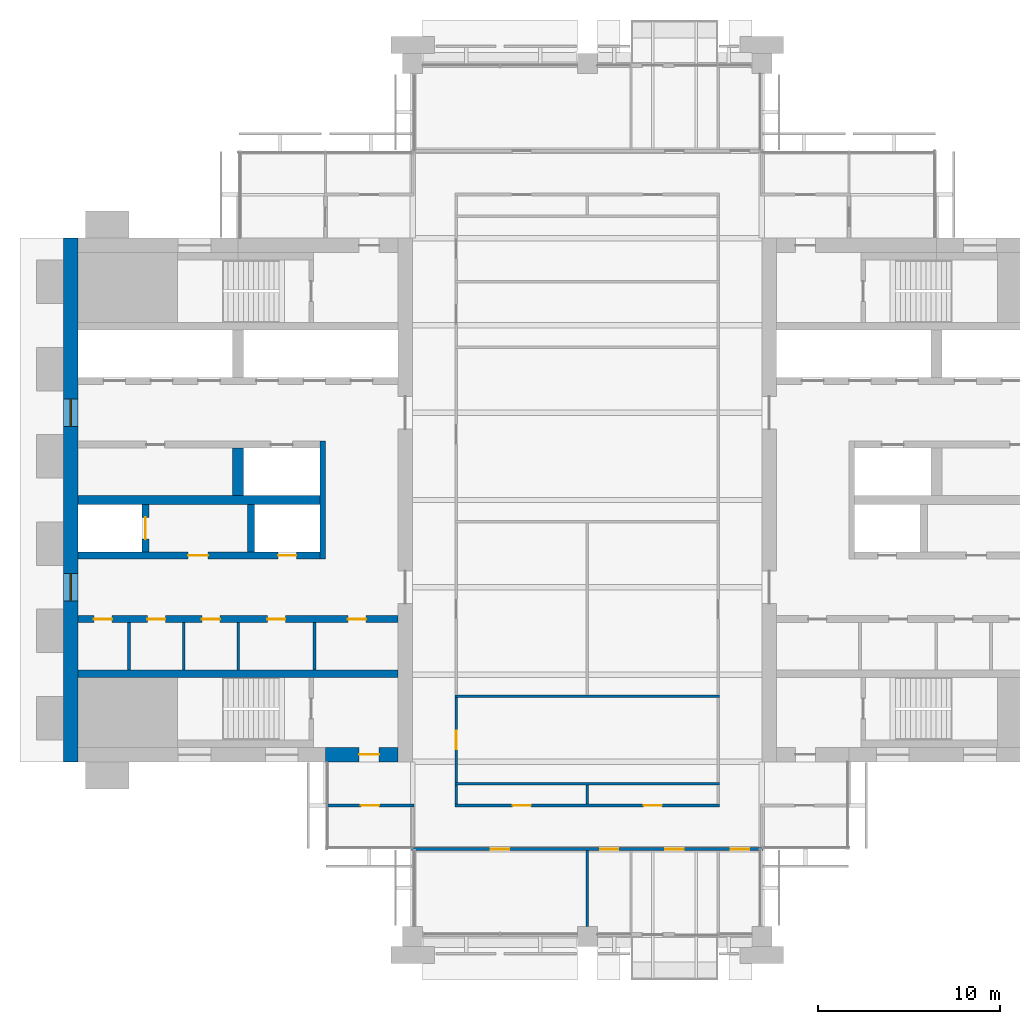
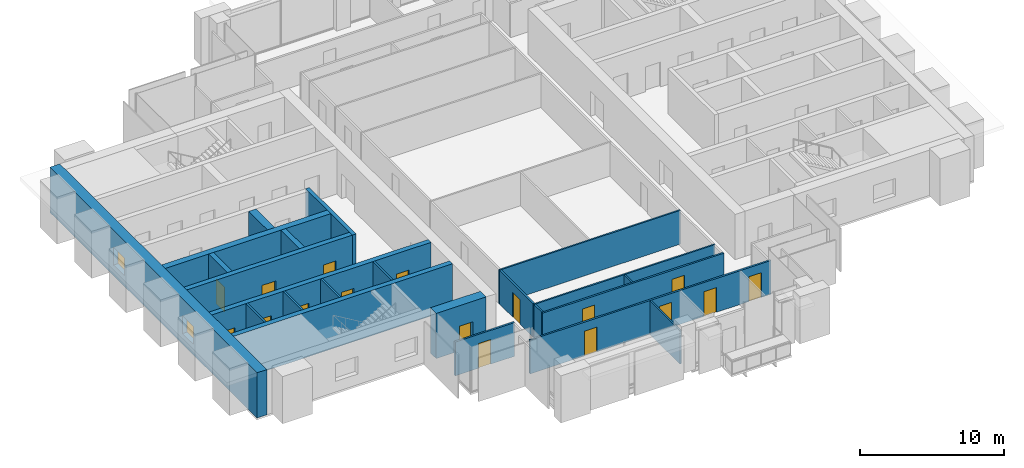
# One storey, part 8 of 14: 23 walls, 17 doors, 2 windows, 19 openings.
"""IFC4 building model written with IfcOpenShell, lengths in metres."""

from ifc_helpers import new_model, si_unit, direction, frame, frame_2d, origin, place, context, subcontext, project, spatial, rectangle, extrude, material, layer, layer_set, type_object, element, fill, save


model = new_model("IFC4")

# Units and contexts
model_context = context("Model", 3, precision=1e-05, world=origin(), true_north=direction((0.0, 1.0)))
body_context = subcontext(model_context, "Body", "Model", "MODEL_VIEW")
ifc_project = project(units=[si_unit("LENGTHUNIT", "METRE"), si_unit("AREAUNIT", "SQUARE_METRE"), si_unit("VOLUMEUNIT", "CUBIC_METRE"), si_unit("PLANEANGLEUNIT", "RADIAN"), si_unit("MASSUNIT", "GRAM", prefix="KILO")], contexts=[model_context])

# Site, building, storey
site_placement = place(None, origin())
site = spatial("IfcSite", under=ifc_project, at=site_placement, CompositionType="ELEMENT")
building_placement = place(site_placement, origin())
building = spatial("IfcBuilding", under=site, at=building_placement, Name="Baori Bourse Tower", CompositionType="ELEMENT")
storey_placement = place(building_placement, frame((0.0, 0.0, 245.199951171875)))
storey = spatial("IfcBuildingStorey", under=building, at=storey_placement, Name="L54", CompositionType="ELEMENT", Elevation=245.199951171875)

# Walls
ifc_material_1 = material(Name="Blockwork partition", Category="masonry")
ifc_layer_1 = layer(ifc_material_1, 0.14990234375)
ifc_layer_set_1 = layer_set([ifc_layer_1], Name="Core partition 150")
wall_type_1 = type_object("IfcWallType", Name="Core partition 150", PredefinedType="PARTITIONING", material=ifc_layer_set_1)
for number, where, z_axis, x_axis, name in (
    (1, (3.60009765625, 14.64990234375, 0.0), (0.0, 0.0, 1.0), (0.0, 1.0, 0.0), "Partition wall W09"),
    (2, (6.60009765625, 14.64990234375, 0.0), (0.0, 0.0, 1.0), (0.0, 1.0, 0.0), "Partition wall W10"),
    (3, (9.60009765625, 14.64990234375, 0.0), (0.0, 0.0, 1.0), (0.0, 1.0, 0.0), "Partition wall W11"),
    (4, (13.800048828125, 14.64990234375, 0.0), (0.0, 0.0, 1.0), (0.0, 1.0, 0.0), "Partition wall W12"),
):
    element("IfcWall", number, at=place(storey_placement, frame(where, z_axis=z_axis, x_axis=x_axis)), inside=storey, type_object=wall_type_1, Name=name, PredefinedType="PARTITIONING", context=body_context, shape_type="SweptSolid", body=[
        extrude(rectangle(XDim=2.60009765625, YDim=0.14990234375, at=frame_2d((1.300048828125, 0.0))), origin(), (0.0, 0.0, 1.0), 3.840087890625),
    ])

# Wall, openings, windows
ifc_material_2 = material(Name="Concrete f'c 50 MPa", Category="concrete")
ifc_layer_2 = layer(ifc_material_2, 0.800048828125)
ifc_layer_set_2 = layer_set([ifc_layer_2], Name="Core wall 800 f'c 50")
wall_type_2 = type_object("IfcWallType", Name="Core wall 800 f'c 50", PredefinedType="SHEAR", material=ifc_layer_set_2)
wall_1_placement = place(storey_placement, frame((0.39990234375, 9.60009765625, 0.0), z_axis=(0.0, 0.0, 1.0), x_axis=(0.0, 1.0, 0.0)))
wall_1 = element("IfcWall", 5, at=wall_1_placement, inside=storey, type_object=wall_type_2, Name="Core wall W01", PredefinedType="SHEAR", context=body_context, shape_type="SweptSolid", body=[
    extrude(rectangle(XDim=28.7998046875, YDim=0.800048828125, at=frame_2d((14.39990234375, 0.0))), origin(), (0.0, 0.0, 1.0), 3.840087890625),
])
opening_1_placement = place(wall_1_placement, frame((8.85009765625, 0.0, 0.89990234375)))
opening_1 = element("IfcOpeningElement", 6, at=opening_1_placement, cuts=wall_1, Name="Opening L54-KW101", PredefinedType="OPENING", context=body_context, shape_type="SweptSolid", body=[
    extrude(rectangle(XDim=1.5, YDim=1.5, at=frame_2d((0.75, 0.75))), frame((0.0, 0.409912109375, 0.0), z_axis=(0.0, -1.0, 0.0), x_axis=(1.0, 0.0, 0.0)), (0.0, 0.0, 1.0), 0.820068359375),
])
opening_2_placement = place(wall_1_placement, frame((18.449951171875, 0.0, 0.89990234375)))
opening_2 = element("IfcOpeningElement", 7, at=opening_2_placement, cuts=wall_1, Name="Opening L54-KW102", PredefinedType="OPENING", context=body_context, shape_type="SweptSolid", body=[
    extrude(rectangle(XDim=1.5, YDim=1.5, at=frame_2d((0.75, 0.75))), frame((0.0, 0.409912109375, 0.0), z_axis=(0.0, -1.0, 0.0), x_axis=(1.0, 0.0, 0.0)), (0.0, 0.0, 1.0), 0.820068359375),
])
ifc_material_3 = material(Name="Pale anodised aluminium", Category="aluminium")
window_type = type_object("IfcWindowType", Name="Lobby window 1500 x 1500", PartitioningType="SINGLE_PANEL", PredefinedType="WINDOW", material=ifc_material_3)
window_1_placement = place(opening_1_placement, origin())
window_1 = element("IfcWindow", 8, at=window_1_placement, inside=storey, type_object=window_type, Name="Outer wall window W L54 1", OverallHeight=1.5, OverallWidth=1.5, PartitioningType="SINGLE_PANEL", PredefinedType="WINDOW", context=body_context, shape_type="SweptSolid", body=[
    extrude(rectangle(XDim=1.5, YDim=1.5, at=frame_2d((0.75, 0.75))), frame((0.0, 0.030029296875, 0.0), z_axis=(0.0, -1.0, 0.0), x_axis=(1.0, 0.0, 0.0)), (0.0, 0.0, 1.0), 0.06005859375),
])
fill(opening_1, window_1)
window_2_placement = place(opening_2_placement, origin())
window_2 = element("IfcWindow", 9, at=window_2_placement, inside=storey, type_object=window_type, Name="Outer wall window W L54 2", OverallHeight=1.5, OverallWidth=1.5, PartitioningType="SINGLE_PANEL", PredefinedType="WINDOW", context=body_context, shape_type="SweptSolid", body=[
    extrude(rectangle(XDim=1.5, YDim=1.5, at=frame_2d((0.75, 0.75))), frame((0.0, 0.030029296875, 0.0), z_axis=(0.0, -1.0, 0.0), x_axis=(1.0, 0.0, 0.0)), (0.0, 0.0, 1.0), 0.06005859375),
])
fill(opening_2, window_2)

# Wall, opening, door
wall_2_placement = place(storey_placement, frame((18.39990234375, 10.0, 0.0), z_axis=(0.0, 0.0, 1.0), x_axis=(-1.0, 0.0, 0.0)))
wall_2 = element("IfcWall", 10, at=wall_2_placement, inside=storey, type_object=wall_type_2, Name="Core wall W03", PredefinedType="SHEAR", context=body_context, shape_type="SweptSolid", body=[
    extrude(rectangle(XDim=4.0, YDim=0.800048828125, at=frame_2d((2.0, 0.0))), origin(), (0.0, 0.0, 1.0), 3.840087890625),
])
opening_3_placement = place(wall_2_placement, frame((1.050048828125, 0.0, 0.0)))
opening_3 = element("IfcOpeningElement", 11, at=opening_3_placement, cuts=wall_2, Name="Opening L54-D102", PredefinedType="OPENING", context=body_context, shape_type="SweptSolid", body=[
    extrude(rectangle(XDim=1.10009765625, YDim=2.10009765625, at=frame_2d((0.550048828125, 1.050048828125))), frame((0.0, 0.409912109375, 0.0), z_axis=(0.0, -1.0, 0.0), x_axis=(1.0, 0.0, 0.0)), (0.0, 0.0, 1.0), 0.820068359375),
])
ifc_material_4 = material(Name="Painted steel door", Category="steel")
door_type_1 = type_object("IfcDoorType", Name="Stair door 1100", OperationType="SINGLE_SWING_LEFT", PredefinedType="DOOR", material=ifc_material_4)
door_1_placement = place(opening_3_placement, origin())
door_1 = element("IfcDoor", 12, at=door_1_placement, inside=storey, type_object=door_type_1, Name="Stair vestibule door A W L54", OperationType="SINGLE_SWING_LEFT", OverallHeight=2.10009765625, OverallWidth=1.10009765625, PredefinedType="DOOR", context=body_context, shape_type="SweptSolid", body=[
    extrude(rectangle(XDim=1.10009765625, YDim=2.10009765625, at=frame_2d((0.550048828125, 1.050048828125))), frame((0.0, 0.02490234375, 0.0), z_axis=(0.0, -1.0, 0.0), x_axis=(1.0, 0.0, 0.0)), (0.0, 0.0, 1.0), 0.050048828125),
])
fill(opening_3, door_1)

# Wall, openings, doors
ifc_material_5 = material(Name="Gypsum board partition")
ifc_layer_3 = layer(ifc_material_5, 0.14990234375)
ifc_layer_set_3 = layer_set([ifc_layer_3], Name="Corridor partition 150")
wall_type_3 = type_object("IfcWallType", Name="Corridor partition 150", PredefinedType="PARTITIONING", material=ifc_layer_set_3)
wall_3_placement = place(storey_placement, frame((19.125, 4.800048828125, 0.0), z_axis=(0.0, 0.0, 1.0), x_axis=(1.0, 0.0, 0.0)))
wall_3 = element("IfcWall", 13, at=wall_3_placement, inside=storey, type_object=wall_type_3, Name="Partition", PredefinedType="PARTITIONING", context=body_context, shape_type="SweptSolid", body=[
    extrude(rectangle(XDim=19.35009765625, YDim=0.14990234375, at=frame_2d((9.675048828125, 0.0))), origin(), (0.0, 0.0, 1.0), 2.869873046875),
])
opening_4_placement = place(wall_3_placement, frame((4.375, 0.0, 0.0)))
opening_4 = element("IfcOpeningElement", 14, at=opening_4_placement, cuts=wall_3, Name="Opening L54-D01", PredefinedType="OPENING", context=body_context, shape_type="SweptSolid", body=[
    extrude(rectangle(XDim=1.0, YDim=2.10009765625, at=frame_2d((0.5, 1.050048828125))), frame((0.0, 0.0849609375, 0.0), z_axis=(0.0, -1.0, 0.0), x_axis=(1.0, 0.0, 0.0)), (0.0, 0.0, 1.0), 0.169921875),
])
opening_5_placement = place(wall_3_placement, frame((10.375, 0.0, 0.0)))
opening_5 = element("IfcOpeningElement", 15, at=opening_5_placement, cuts=wall_3, Name="Opening L54-D02", PredefinedType="OPENING", context=body_context, shape_type="SweptSolid", body=[
    extrude(rectangle(XDim=1.0, YDim=2.10009765625, at=frame_2d((0.5, 1.050048828125))), frame((0.0, 0.0849609375, 0.0), z_axis=(0.0, -1.0, 0.0), x_axis=(1.0, 0.0, 0.0)), (0.0, 0.0, 1.0), 0.169921875),
])
opening_6_placement = place(wall_3_placement, frame((13.97509765625, 0.0, 0.0)))
opening_6 = element("IfcOpeningElement", 16, at=opening_6_placement, cuts=wall_3, Name="Opening L54-D03", PredefinedType="OPENING", context=body_context, shape_type="SweptSolid", body=[
    extrude(rectangle(XDim=1.0, YDim=2.10009765625, at=frame_2d((0.5, 1.050048828125))), frame((0.0, 0.0849609375, 0.0), z_axis=(0.0, -1.0, 0.0), x_axis=(1.0, 0.0, 0.0)), (0.0, 0.0, 1.0), 0.169921875),
])
opening_7_placement = place(wall_3_placement, frame((17.574951171875, 0.0, 0.0)))
opening_7 = element("IfcOpeningElement", 17, at=opening_7_placement, cuts=wall_3, Name="Opening L54-D04", PredefinedType="OPENING", context=body_context, shape_type="SweptSolid", body=[
    extrude(rectangle(XDim=1.0, YDim=2.10009765625, at=frame_2d((0.5, 1.050048828125))), frame((0.0, 0.0849609375, 0.0), z_axis=(0.0, -1.0, 0.0), x_axis=(1.0, 0.0, 0.0)), (0.0, 0.0, 1.0), 0.169921875),
])
ifc_material_6 = material(Name="Timber door leaf", Category="wood")
door_type_2 = type_object("IfcDoorType", Name="Door 1000 x 2100", OperationType="SINGLE_SWING_LEFT", PredefinedType="DOOR", material=ifc_material_6)
door_2_placement = place(opening_4_placement, origin())
door_2 = element("IfcDoor", 18, at=door_2_placement, inside=storey, type_object=door_type_2, Name="Door", OperationType="SINGLE_SWING_LEFT", OverallHeight=2.10009765625, OverallWidth=1.0, PredefinedType="DOOR", context=body_context, shape_type="SweptSolid", body=[
    extrude(rectangle(XDim=1.0, YDim=2.10009765625, at=frame_2d((0.5, 1.050048828125))), frame((0.0, 0.02490234375, 0.0), z_axis=(0.0, -1.0, 0.0), x_axis=(1.0, 0.0, 0.0)), (0.0, 0.0, 1.0), 0.050048828125),
])
fill(opening_4, door_2)
door_3_placement = place(opening_5_placement, origin())
door_3 = element("IfcDoor", 19, at=door_3_placement, inside=storey, type_object=door_type_2, Name="Door", OperationType="SINGLE_SWING_RIGHT", OverallHeight=2.10009765625, OverallWidth=1.0, PredefinedType="DOOR", context=body_context, shape_type="SweptSolid", body=[
    extrude(rectangle(XDim=1.0, YDim=2.10009765625, at=frame_2d((0.5, 1.050048828125))), frame((0.0, 0.02490234375, 0.0), z_axis=(0.0, -1.0, 0.0), x_axis=(1.0, 0.0, 0.0)), (0.0, 0.0, 1.0), 0.050048828125),
])
fill(opening_5, door_3)
door_4_placement = place(opening_6_placement, origin())
door_4 = element("IfcDoor", 20, at=door_4_placement, inside=storey, type_object=door_type_2, Name="Door", OperationType="SINGLE_SWING_RIGHT", OverallHeight=2.10009765625, OverallWidth=1.0, PredefinedType="DOOR", context=body_context, shape_type="SweptSolid", body=[
    extrude(rectangle(XDim=1.0, YDim=2.10009765625, at=frame_2d((0.5, 1.050048828125))), frame((0.0, 0.02490234375, 0.0), z_axis=(0.0, -1.0, 0.0), x_axis=(1.0, 0.0, 0.0)), (0.0, 0.0, 1.0), 0.050048828125),
])
fill(opening_6, door_4)
door_5_placement = place(opening_7_placement, origin())
door_5 = element("IfcDoor", 21, at=door_5_placement, inside=storey, type_object=door_type_2, Name="Door", OperationType="SINGLE_SWING_RIGHT", OverallHeight=2.10009765625, OverallWidth=1.0, PredefinedType="DOOR", context=body_context, shape_type="SweptSolid", body=[
    extrude(rectangle(XDim=1.0, YDim=2.10009765625, at=frame_2d((0.5, 1.050048828125))), frame((0.0, 0.02490234375, 0.0), z_axis=(0.0, -1.0, 0.0), x_axis=(1.0, 0.0, 0.0)), (0.0, 0.0, 1.0), 0.050048828125),
])
fill(opening_7, door_5)

# Wall, opening, door
wall_4_placement = place(storey_placement, frame((14.5, 7.199951171875, 0.0), z_axis=(0.0, 0.0, 1.0), x_axis=(1.0, 0.0, 0.0)))
wall_4 = element("IfcWall", 22, at=wall_4_placement, inside=storey, type_object=wall_type_3, Name="Partition", PredefinedType="PARTITIONING", context=body_context, shape_type="SweptSolid", body=[
    extrude(rectangle(XDim=4.77490234375, YDim=0.14990234375, at=frame_2d((2.387451171875, 0.0))), origin(), (0.0, 0.0, 1.0), 2.869873046875),
])
opening_8_placement = place(wall_4_placement, frame((1.85009765625, 0.0, 0.0)))
opening_8 = element("IfcOpeningElement", 23, at=opening_8_placement, cuts=wall_4, Name="Opening L54-D05", PredefinedType="OPENING", context=body_context, shape_type="SweptSolid", body=[
    extrude(rectangle(XDim=1.0, YDim=2.10009765625, at=frame_2d((0.5, 1.050048828125))), frame((0.0, 0.0849609375, 0.0), z_axis=(0.0, -1.0, 0.0), x_axis=(1.0, 0.0, 0.0)), (0.0, 0.0, 1.0), 0.169921875),
])
door_6_placement = place(opening_8_placement, origin())
door_6 = element("IfcDoor", 24, at=door_6_placement, inside=storey, type_object=door_type_2, Name="Door", OperationType="SINGLE_SWING_LEFT", OverallHeight=2.10009765625, OverallWidth=1.0, PredefinedType="DOOR", context=body_context, shape_type="SweptSolid", body=[
    extrude(rectangle(XDim=1.0, YDim=2.10009765625, at=frame_2d((0.5, 1.050048828125))), frame((0.0, 0.02490234375, 0.0), z_axis=(0.0, -1.0, 0.0), x_axis=(1.0, 0.0, 0.0)), (0.0, 0.0, 1.0), 0.050048828125),
])
fill(opening_8, door_6)

# Wall, openings, doors
wall_5_placement = place(storey_placement, frame((21.52490234375, 7.199951171875, 0.0), z_axis=(0.0, 0.0, 1.0), x_axis=(1.0, 0.0, 0.0)))
wall_5 = element("IfcWall", 25, at=wall_5_placement, inside=storey, type_object=wall_type_3, Name="Partition", PredefinedType="PARTITIONING", context=body_context, shape_type="SweptSolid", body=[
    extrude(rectangle(XDim=14.550048828125, YDim=0.14990234375, at=frame_2d((7.27490234375, 0.0))), origin(), (0.0, 0.0, 1.0), 2.869873046875),
])
opening_9_placement = place(wall_5_placement, frame((3.175048828125, 0.0, 0.0)))
opening_9 = element("IfcOpeningElement", 26, at=opening_9_placement, cuts=wall_5, Name="Opening L54-D06", PredefinedType="OPENING", context=body_context, shape_type="SweptSolid", body=[
    extrude(rectangle(XDim=1.0, YDim=2.10009765625, at=frame_2d((0.5, 1.050048828125))), frame((0.0, 0.0849609375, 0.0), z_axis=(0.0, -1.0, 0.0), x_axis=(1.0, 0.0, 0.0)), (0.0, 0.0, 1.0), 0.169921875),
])
opening_10_placement = place(wall_5_placement, frame((10.375, 0.0, 0.0)))
opening_10 = element("IfcOpeningElement", 27, at=opening_10_placement, cuts=wall_5, Name="Opening L54-D07", PredefinedType="OPENING", context=body_context, shape_type="SweptSolid", body=[
    extrude(rectangle(XDim=1.0, YDim=2.10009765625, at=frame_2d((0.5, 1.050048828125))), frame((0.0, 0.0849609375, 0.0), z_axis=(0.0, -1.0, 0.0), x_axis=(1.0, 0.0, 0.0)), (0.0, 0.0, 1.0), 0.169921875),
])
door_7_placement = place(opening_9_placement, origin())
door_7 = element("IfcDoor", 28, at=door_7_placement, inside=storey, type_object=door_type_2, Name="Door", OperationType="SINGLE_SWING_RIGHT", OverallHeight=2.10009765625, OverallWidth=1.0, PredefinedType="DOOR", context=body_context, shape_type="SweptSolid", body=[
    extrude(rectangle(XDim=1.0, YDim=2.10009765625, at=frame_2d((0.5, 1.050048828125))), frame((0.0, 0.02490234375, 0.0), z_axis=(0.0, -1.0, 0.0), x_axis=(1.0, 0.0, 0.0)), (0.0, 0.0, 1.0), 0.050048828125),
])
fill(opening_9, door_7)
door_8_placement = place(opening_10_placement, origin())
door_8 = element("IfcDoor", 29, at=door_8_placement, inside=storey, type_object=door_type_2, Name="Door", OperationType="SINGLE_SWING_LEFT", OverallHeight=2.10009765625, OverallWidth=1.0, PredefinedType="DOOR", context=body_context, shape_type="SweptSolid", body=[
    extrude(rectangle(XDim=1.0, YDim=2.10009765625, at=frame_2d((0.5, 1.050048828125))), frame((0.0, 0.02490234375, 0.0), z_axis=(0.0, -1.0, 0.0), x_axis=(1.0, 0.0, 0.0)), (0.0, 0.0, 1.0), 0.050048828125),
])
fill(opening_10, door_8)

# Wall
wall_6_placement = place(storey_placement, frame((21.60009765625, 7.27490234375, 0.0), z_axis=(0.0, 0.0, 1.0), x_axis=(0.0, 1.0, 0.0)))
element("IfcWall", 30, at=wall_6_placement, inside=storey, type_object=wall_type_3, Name="Partition", PredefinedType="PARTITIONING", context=body_context, shape_type="SweptSolid", body=[
    extrude(rectangle(XDim=1.0625, YDim=0.14990234375, at=frame_2d((0.53125, 0.0))), origin(), (0.0, 0.0, 1.0), 2.869873046875),
])

# Wall, opening, door
wall_7_placement = place(storey_placement, frame((21.60009765625, 8.46240234375, 0.0), z_axis=(0.0, 0.0, 1.0), x_axis=(0.0, 1.0, 0.0)))
wall_7 = element("IfcWall", 31, at=wall_7_placement, inside=storey, type_object=wall_type_3, Name="Partition", PredefinedType="PARTITIONING", context=body_context, shape_type="SweptSolid", body=[
    extrude(rectangle(XDim=4.675048828125, YDim=0.14990234375, at=frame_2d((2.33740234375, 0.0))), origin(), (0.0, 0.0, 1.0), 2.869873046875),
])
opening_11_placement = place(wall_7_placement, frame((1.83740234375, 0.0, 0.0)))
opening_11 = element("IfcOpeningElement", 32, at=opening_11_placement, cuts=wall_7, Name="Opening L54-D17", PredefinedType="OPENING", context=body_context, shape_type="SweptSolid", body=[
    extrude(rectangle(XDim=1.0, YDim=2.10009765625, at=frame_2d((0.5, 1.050048828125))), frame((0.0, 0.0849609375, 0.0), z_axis=(0.0, -1.0, 0.0), x_axis=(1.0, 0.0, 0.0)), (0.0, 0.0, 1.0), 0.169921875),
])
door_9_placement = place(opening_11_placement, origin())
door_9 = element("IfcDoor", 33, at=door_9_placement, inside=storey, type_object=door_type_2, Name="Door", OperationType="SINGLE_SWING_RIGHT", OverallHeight=2.10009765625, OverallWidth=1.0, PredefinedType="DOOR", context=body_context, shape_type="SweptSolid", body=[
    extrude(rectangle(XDim=1.0, YDim=2.10009765625, at=frame_2d((0.5, 1.050048828125))), frame((0.0, 0.02490234375, 0.0), z_axis=(0.0, -1.0, 0.0), x_axis=(1.0, 0.0, 0.0)), (0.0, 0.0, 1.0), 0.050048828125),
])
fill(opening_11, door_9)

# Walls
ifc_material_7 = material(Name="Gypsum board partition")
ifc_layer_4 = layer(ifc_material_7, 0.125)
ifc_layer_set_4 = layer_set([ifc_layer_4], Name="Partition 125")
wall_type_4 = type_object("IfcWallType", Name="Partition 125", PredefinedType="PARTITIONING", material=ifc_layer_set_4)
for number, where, z_axis, x_axis, name in (
    (34, (21.52490234375, 8.39990234375, 0.0), (0.0, 0.0, 1.0), (1.0, 0.0, 0.0), "Partition"),
    (35, (21.52490234375, 13.199951171875, 0.0), (0.0, 0.0, 1.0), (1.0, 0.0, 0.0), "Partition"),
):
    element("IfcWall", number, at=place(storey_placement, frame(where, z_axis=z_axis, x_axis=x_axis)), inside=storey, type_object=wall_type_4, Name=name, PredefinedType="PARTITIONING", context=body_context, shape_type="SweptSolid", body=[
        extrude(rectangle(XDim=14.550048828125, YDim=0.125, at=frame_2d((7.27490234375, 0.0))), origin(), (0.0, 0.0, 1.0), 2.869873046875),
    ])
wall_8_placement = place(storey_placement, frame((28.800048828125, 0.550048828125, 0.0), z_axis=(0.0, 0.0, 1.0), x_axis=(0.0, 1.0, 0.0)))
element("IfcWall", 36, at=wall_8_placement, inside=storey, type_object=wall_type_4, Name="Partition", PredefinedType="PARTITIONING", context=body_context, shape_type="SweptSolid", body=[
    extrude(rectangle(XDim=4.175048828125, YDim=0.125, at=frame_2d((2.08740234375, 0.0))), origin(), (0.0, 0.0, 1.0), 2.869873046875),
])
wall_9_placement = place(storey_placement, frame((28.800048828125, 7.27490234375, 0.0), z_axis=(0.0, 0.0, 1.0), x_axis=(0.0, 1.0, 0.0)))
element("IfcWall", 37, at=wall_9_placement, inside=storey, type_object=wall_type_4, Name="Partition", PredefinedType="PARTITIONING", context=body_context, shape_type="SweptSolid", body=[
    extrude(rectangle(XDim=1.0625, YDim=0.125, at=frame_2d((0.53125, 0.0))), origin(), (0.0, 0.0, 1.0), 2.869873046875),
])
ifc_material_8 = material(Name="Concrete f'c 50 MPa", Category="concrete")
ifc_layer_5 = layer(ifc_material_8, 0.300048828125)
ifc_layer_set_5 = layer_set([ifc_layer_5], Name="Shaft wall 300 f'c 50")
wall_type_5 = type_object("IfcWallType", Name="Shaft wall 300 f'c 50", PredefinedType="SHEAR", material=ifc_layer_set_5)
wall_10_placement = place(storey_placement, frame((14.25, 20.75, 0.0), z_axis=(0.0, 0.0, 1.0), x_axis=(0.0, 1.0, 0.0)))
element("IfcWall", 38, at=wall_10_placement, inside=storey, type_object=wall_type_5, Name="Core wall W15", PredefinedType="SHEAR", context=body_context, shape_type="SweptSolid", body=[
    extrude(rectangle(XDim=6.5, YDim=0.300048828125, at=frame_2d((3.25, 0.0))), origin(), (0.0, 0.0, 1.0), 3.840087890625),
])
ifc_material_9 = material(Name="Concrete f'c 50 MPa", Category="concrete")
ifc_layer_6 = layer(ifc_material_9, 0.39990234375)
ifc_layer_set_6 = layer_set([ifc_layer_6], Name="Shaft wall 400 f'c 50")
wall_type_6 = type_object("IfcWallType", Name="Shaft wall 400 f'c 50", PredefinedType="SHEAR", material=ifc_layer_set_6)
wall_11_placement = place(storey_placement, frame((0.800048828125, 14.449951171875, 0.0), z_axis=(0.0, 0.0, 1.0), x_axis=(1.0, 0.0, 0.0)))
element("IfcWall", 39, at=wall_11_placement, inside=storey, type_object=wall_type_6, Name="Core wall W08", PredefinedType="SHEAR", context=body_context, shape_type="SweptSolid", body=[
    extrude(rectangle(XDim=17.599853515625, YDim=0.39990234375, at=frame_2d((8.7998046875, 0.0))), origin(), (0.0, 0.0, 1.0), 3.840087890625),
])

# Wall, openings, doors
wall_12_placement = place(storey_placement, frame((0.800048828125, 17.449951171875, 0.0), z_axis=(0.0, 0.0, 1.0), x_axis=(1.0, 0.0, 0.0)))
wall_12 = element("IfcWall", 40, at=wall_12_placement, inside=storey, type_object=wall_type_6, Name="Core wall W13", PredefinedType="SHEAR", context=body_context, shape_type="SweptSolid", body=[
    extrude(rectangle(XDim=17.599853515625, YDim=0.39990234375, at=frame_2d((8.7998046875, 0.0))), origin(), (0.0, 0.0, 1.0), 3.840087890625),
])
opening_12_placement = place(wall_12_placement, frame((0.862548828125, 0.0, 0.0)))
opening_12 = element("IfcOpeningElement", 41, at=opening_12_placement, cuts=wall_12, Name="Opening L54-D109", PredefinedType="OPENING", context=body_context, shape_type="SweptSolid", body=[
    extrude(rectangle(XDim=1.0, YDim=2.10009765625, at=frame_2d((0.5, 1.050048828125))), frame((0.0, 0.2099609375, 0.0), z_axis=(0.0, -1.0, 0.0), x_axis=(1.0, 0.0, 0.0)), (0.0, 0.0, 1.0), 0.419921875),
])
opening_13_placement = place(wall_12_placement, frame((3.800048828125, 0.0, 0.0)))
opening_13 = element("IfcOpeningElement", 42, at=opening_13_placement, cuts=wall_12, Name="Opening L54-D110", PredefinedType="OPENING", context=body_context, shape_type="SweptSolid", body=[
    extrude(rectangle(XDim=1.0, YDim=2.10009765625, at=frame_2d((0.5, 1.050048828125))), frame((0.0, 0.2099609375, 0.0), z_axis=(0.0, -1.0, 0.0), x_axis=(1.0, 0.0, 0.0)), (0.0, 0.0, 1.0), 0.419921875),
])
opening_14_placement = place(wall_12_placement, frame((6.800048828125, 0.0, 0.0)))
opening_14 = element("IfcOpeningElement", 43, at=opening_14_placement, cuts=wall_12, Name="Opening L54-D111", PredefinedType="OPENING", context=body_context, shape_type="SweptSolid", body=[
    extrude(rectangle(XDim=1.0, YDim=2.10009765625, at=frame_2d((0.5, 1.050048828125))), frame((0.0, 0.2099609375, 0.0), z_axis=(0.0, -1.0, 0.0), x_axis=(1.0, 0.0, 0.0)), (0.0, 0.0, 1.0), 0.419921875),
])
opening_15_placement = place(wall_12_placement, frame((10.39990234375, 0.0, 0.0)))
opening_15 = element("IfcOpeningElement", 44, at=opening_15_placement, cuts=wall_12, Name="Opening L54-D112", PredefinedType="OPENING", context=body_context, shape_type="SweptSolid", body=[
    extrude(rectangle(XDim=1.0, YDim=2.10009765625, at=frame_2d((0.5, 1.050048828125))), frame((0.0, 0.2099609375, 0.0), z_axis=(0.0, -1.0, 0.0), x_axis=(1.0, 0.0, 0.0)), (0.0, 0.0, 1.0), 0.419921875),
])
opening_16_placement = place(wall_12_placement, frame((14.83740234375, 0.0, 0.0)))
opening_16 = element("IfcOpeningElement", 45, at=opening_16_placement, cuts=wall_12, Name="Opening L54-D113", PredefinedType="OPENING", context=body_context, shape_type="SweptSolid", body=[
    extrude(rectangle(XDim=1.0, YDim=2.10009765625, at=frame_2d((0.5, 1.050048828125))), frame((0.0, 0.2099609375, 0.0), z_axis=(0.0, -1.0, 0.0), x_axis=(1.0, 0.0, 0.0)), (0.0, 0.0, 1.0), 0.419921875),
])
ifc_material_10 = material(Name="Painted steel door", Category="steel")
door_type_3 = type_object("IfcDoorType", Name="Core door 1000", OperationType="SINGLE_SWING_LEFT", PredefinedType="DOOR", material=ifc_material_10)
door_10_placement = place(opening_12_placement, origin())
door_10 = element("IfcDoor", 46, at=door_10_placement, inside=storey, type_object=door_type_3, Name="Janitor'S Closet door W L54", OperationType="SINGLE_SWING_LEFT", OverallHeight=2.10009765625, OverallWidth=1.0, PredefinedType="DOOR", context=body_context, shape_type="SweptSolid", body=[
    extrude(rectangle(XDim=1.0, YDim=2.10009765625, at=frame_2d((0.5, 1.050048828125))), frame((0.0, 0.02490234375, 0.0), z_axis=(0.0, -1.0, 0.0), x_axis=(1.0, 0.0, 0.0)), (0.0, 0.0, 1.0), 0.050048828125),
])
fill(opening_12, door_10)
door_11_placement = place(opening_13_placement, origin())
door_11 = element("IfcDoor", 47, at=door_11_placement, inside=storey, type_object=door_type_3, Name="Accessible Wc door W L54", OperationType="SINGLE_SWING_LEFT", OverallHeight=2.10009765625, OverallWidth=1.0, PredefinedType="DOOR", context=body_context, shape_type="SweptSolid", body=[
    extrude(rectangle(XDim=1.0, YDim=2.10009765625, at=frame_2d((0.5, 1.050048828125))), frame((0.0, 0.02490234375, 0.0), z_axis=(0.0, -1.0, 0.0), x_axis=(1.0, 0.0, 0.0)), (0.0, 0.0, 1.0), 0.050048828125),
])
fill(opening_13, door_11)
door_12_placement = place(opening_15_placement, origin())
door_12 = element("IfcDoor", 48, at=door_12_placement, inside=storey, type_object=door_type_3, Name="Men'S Wc door W L54", OperationType="SINGLE_SWING_LEFT", OverallHeight=2.10009765625, OverallWidth=1.0, PredefinedType="DOOR", context=body_context, shape_type="SweptSolid", body=[
    extrude(rectangle(XDim=1.0, YDim=2.10009765625, at=frame_2d((0.5, 1.050048828125))), frame((0.0, 0.02490234375, 0.0), z_axis=(0.0, -1.0, 0.0), x_axis=(1.0, 0.0, 0.0)), (0.0, 0.0, 1.0), 0.050048828125),
])
fill(opening_15, door_12)
door_13_placement = place(opening_16_placement, origin())
door_13 = element("IfcDoor", 49, at=door_13_placement, inside=storey, type_object=door_type_3, Name="Women'S Wc door W L54", OperationType="SINGLE_SWING_LEFT", OverallHeight=2.10009765625, OverallWidth=1.0, PredefinedType="DOOR", context=body_context, shape_type="SweptSolid", body=[
    extrude(rectangle(XDim=1.0, YDim=2.10009765625, at=frame_2d((0.5, 1.050048828125))), frame((0.0, 0.02490234375, 0.0), z_axis=(0.0, -1.0, 0.0), x_axis=(1.0, 0.0, 0.0)), (0.0, 0.0, 1.0), 0.050048828125),
])
fill(opening_16, door_13)
ifc_material_11 = material(Name="Painted steel door", Category="steel")
door_type_4 = type_object("IfcDoorType", Name="Plant room door 1000", OperationType="SINGLE_SWING_LEFT", PredefinedType="DOOR", material=ifc_material_11)
door_14_placement = place(opening_14_placement, origin())
door_14 = element("IfcDoor", 50, at=door_14_placement, inside=storey, type_object=door_type_4, Name="Plumbing Equipment Room door W L54", OperationType="SINGLE_SWING_LEFT", OverallHeight=2.10009765625, OverallWidth=1.0, PredefinedType="DOOR", context=body_context, shape_type="SweptSolid", body=[
    extrude(rectangle(XDim=1.0, YDim=2.10009765625, at=frame_2d((0.5, 1.050048828125))), frame((0.0, 0.02490234375, 0.0), z_axis=(0.0, -1.0, 0.0), x_axis=(1.0, 0.0, 0.0)), (0.0, 0.0, 1.0), 0.050048828125),
])
fill(opening_14, door_14)

wall_13_placement = place(storey_placement, frame((0.800048828125, 20.949951171875, 0.0), z_axis=(0.0, 0.0, 1.0), x_axis=(1.0, 0.0, 0.0)))
wall_13 = element("IfcWall", 51, at=wall_13_placement, inside=storey, type_object=wall_type_6, Name="Core wall W14", PredefinedType="SHEAR", context=body_context, shape_type="SweptSolid", body=[
    extrude(rectangle(XDim=13.300048828125, YDim=0.39990234375, at=frame_2d((6.64990234375, 0.0))), origin(), (0.0, 0.0, 1.0), 3.840087890625),
])
opening_17_placement = place(wall_13_placement, frame((6.050048828125, 0.0, 0.0)))
opening_17 = element("IfcOpeningElement", 52, at=opening_17_placement, cuts=wall_13, Name="Opening L54-D105", PredefinedType="OPENING", context=body_context, shape_type="SweptSolid", body=[
    extrude(rectangle(XDim=1.10009765625, YDim=2.10009765625, at=frame_2d((0.550048828125, 1.050048828125))), frame((0.0, 0.2099609375, 0.0), z_axis=(0.0, -1.0, 0.0), x_axis=(1.0, 0.0, 0.0)), (0.0, 0.0, 1.0), 0.419921875),
])
opening_18_placement = place(wall_13_placement, frame((11.0, 0.0, 0.0)))
opening_18 = element("IfcOpeningElement", 53, at=opening_18_placement, cuts=wall_13, Name="Opening L54-D106", PredefinedType="OPENING", context=body_context, shape_type="SweptSolid", body=[
    extrude(rectangle(XDim=1.0, YDim=2.10009765625, at=frame_2d((0.5, 1.050048828125))), frame((0.0, 0.2099609375, 0.0), z_axis=(0.0, -1.0, 0.0), x_axis=(1.0, 0.0, 0.0)), (0.0, 0.0, 1.0), 0.419921875),
])
ifc_material_12 = material(Name="Painted steel door", Category="steel")
door_type_5 = type_object("IfcDoorType", Name="Lobby door 1100", OperationType="SINGLE_SWING_LEFT", PredefinedType="DOOR", material=ifc_material_12)
door_15_placement = place(opening_17_placement, origin())
door_15 = element("IfcDoor", 54, at=door_15_placement, inside=storey, type_object=door_type_5, Name="Firefighting lobby door W L54", OperationType="SINGLE_SWING_LEFT", OverallHeight=2.10009765625, OverallWidth=1.10009765625, PredefinedType="DOOR", context=body_context, shape_type="SweptSolid", body=[
    extrude(rectangle(XDim=1.10009765625, YDim=2.10009765625, at=frame_2d((0.550048828125, 1.050048828125))), frame((0.0, 0.02490234375, 0.0), z_axis=(0.0, -1.0, 0.0), x_axis=(1.0, 0.0, 0.0)), (0.0, 0.0, 1.0), 0.050048828125),
])
fill(opening_17, door_15)
ifc_material_13 = material(Name="Painted steel door", Category="steel")
door_type_6 = type_object("IfcDoorType", Name="Shaft door 1000", OperationType="SINGLE_SWING_LEFT", PredefinedType="DOOR", material=ifc_material_13)
door_16_placement = place(opening_18_placement, origin())
door_16 = element("IfcDoor", 55, at=door_16_placement, inside=storey, type_object=door_type_6, Name="Riser room door W L54", OperationType="SINGLE_SWING_LEFT", OverallHeight=2.10009765625, OverallWidth=1.0, PredefinedType="DOOR", context=body_context, shape_type="SweptSolid", body=[
    extrude(rectangle(XDim=1.0, YDim=2.10009765625, at=frame_2d((0.5, 1.050048828125))), frame((0.0, 0.02490234375, 0.0), z_axis=(0.0, -1.0, 0.0), x_axis=(1.0, 0.0, 0.0)), (0.0, 0.0, 1.0), 0.050048828125),
])
fill(opening_18, door_16)

# Wall, opening, door
wall_14_placement = place(storey_placement, frame((4.5, 21.14990234375, 0.0), z_axis=(0.0, 0.0, 1.0), x_axis=(0.0, 1.0, 0.0)))
wall_14 = element("IfcWall", 56, at=wall_14_placement, inside=storey, type_object=wall_type_6, Name="Core wall W16", PredefinedType="SHEAR", context=body_context, shape_type="SweptSolid", body=[
    extrude(rectangle(XDim=2.60009765625, YDim=0.39990234375, at=frame_2d((1.300048828125, 0.0))), origin(), (0.0, 0.0, 1.0), 3.840087890625),
])
opening_19_placement = place(wall_14_placement, frame((0.699951171875, 0.0, 0.0)))
opening_19 = element("IfcOpeningElement", 57, at=opening_19_placement, cuts=wall_14, Name="Opening L54-D122", PredefinedType="OPENING", context=body_context, shape_type="SweptSolid", body=[
    extrude(rectangle(XDim=1.199951171875, YDim=2.10009765625, at=frame_2d((0.60009765625, 1.050048828125))), frame((0.0, 0.2099609375, 0.0), z_axis=(0.0, -1.0, 0.0), x_axis=(1.0, 0.0, 0.0)), (0.0, 0.0, 1.0), 0.419921875),
])
ifc_material_14 = material(Name="Stainless steel door", Category="steel")
door_type_7 = type_object("IfcDoorType", Name="Lift landing door", OperationType="DOUBLE_DOOR_SLIDING", PredefinedType="DOOR", material=ifc_material_14)
door_17_placement = place(opening_19_placement, origin())
door_17 = element("IfcDoor", 58, at=door_17_placement, inside=storey, type_object=door_type_7, Name="Lift landing door FF1 W L54", OperationType="DOUBLE_DOOR_SLIDING", OverallHeight=2.10009765625, OverallWidth=1.199951171875, PredefinedType="DOOR", context=body_context, shape_type="SweptSolid", body=[
    extrude(rectangle(XDim=1.199951171875, YDim=2.10009765625, at=frame_2d((0.60009765625, 1.050048828125))), frame((0.0, 0.02490234375, 0.0), z_axis=(0.0, -1.0, 0.0), x_axis=(1.0, 0.0, 0.0)), (0.0, 0.0, 1.0), 0.050048828125),
])
fill(opening_19, door_17)

# Walls
wall_15_placement = place(storey_placement, frame((10.300048828125, 21.14990234375, 0.0), z_axis=(0.0, 0.0, 1.0), x_axis=(0.0, 1.0, 0.0)))
element("IfcWall", 59, at=wall_15_placement, inside=storey, type_object=wall_type_6, Name="Core wall W17", PredefinedType="SHEAR", context=body_context, shape_type="SweptSolid", body=[
    extrude(rectangle(XDim=2.60009765625, YDim=0.39990234375, at=frame_2d((1.300048828125, 0.0))), origin(), (0.0, 0.0, 1.0), 3.840087890625),
])
ifc_material_15 = material(Name="Concrete f'c 50 MPa", Category="concrete")
ifc_layer_7 = layer(ifc_material_15, 0.5)
ifc_layer_set_7 = layer_set([ifc_layer_7], Name="Shaft wall 500 f'c 50")
wall_type_7 = type_object("IfcWallType", Name="Shaft wall 500 f'c 50", PredefinedType="SHEAR", material=ifc_layer_set_7)
wall_16_placement = place(storey_placement, frame((0.800048828125, 24.0, 0.0), z_axis=(0.0, 0.0, 1.0), x_axis=(1.0, 0.0, 0.0)))
element("IfcWall", 60, at=wall_16_placement, inside=storey, type_object=wall_type_7, Name="Core wall W18", PredefinedType="SHEAR", context=body_context, shape_type="SweptSolid", body=[
    extrude(rectangle(XDim=13.300048828125, YDim=0.5, at=frame_2d((6.64990234375, 0.0))), origin(), (0.0, 0.0, 1.0), 3.840087890625),
])
ifc_material_16 = material(Name="Concrete f'c 50 MPa", Category="concrete")
ifc_layer_8 = layer(ifc_material_16, 0.60009765625)
ifc_layer_set_8 = layer_set([ifc_layer_8], Name="Shaft wall 600 f'c 50")
wall_type_8 = type_object("IfcWallType", Name="Shaft wall 600 f'c 50", PredefinedType="SHEAR", material=ifc_layer_set_8)
wall_17_placement = place(storey_placement, frame((9.60009765625, 24.25, 0.0), z_axis=(0.0, 0.0, 1.0), x_axis=(0.0, 1.0, 0.0)))
element("IfcWall", 61, at=wall_17_placement, inside=storey, type_object=wall_type_8, Name="Core wall W19", PredefinedType="SHEAR", context=body_context, shape_type="SweptSolid", body=[
    extrude(rectangle(XDim=2.60009765625, YDim=0.60009765625, at=frame_2d((1.300048828125, 0.0))), origin(), (0.0, 0.0, 1.0), 3.840087890625),
])

save(model, "model.ifc")
